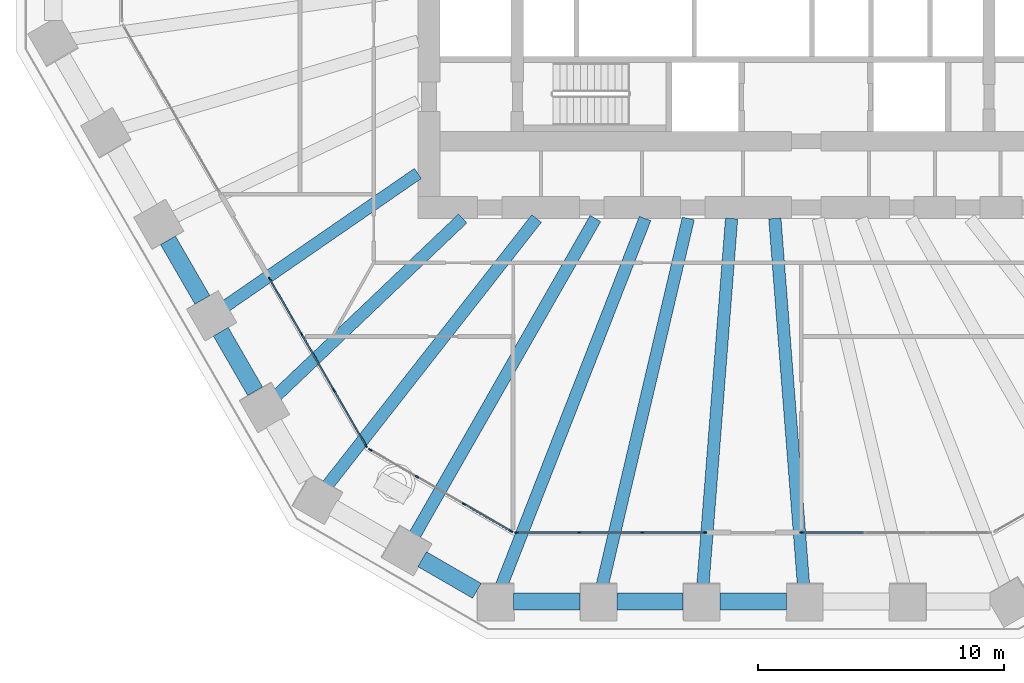
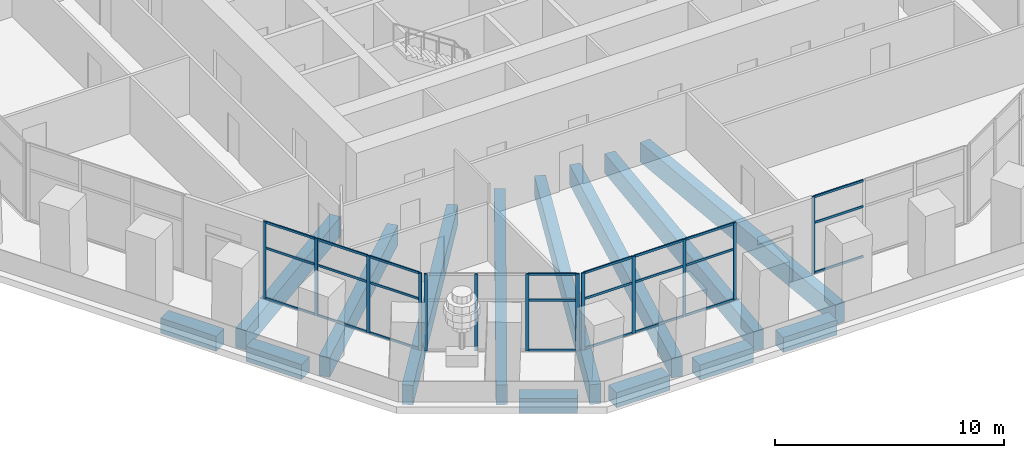
# One storey, part 2 of 18: 37 members, 14 beams, 4 elements without a shape of their own.
"""IFC4 building model written with IfcOpenShell, lengths in metres."""

from ifc_helpers import new_model, si_unit, direction, frame, origin, origin_2d, place, context, subcontext, project, spatial, rectangle, extrude, material, material_profile, profile_set, type_object, element, aggregate, save


model = new_model("IFC4")

# Units and contexts
model_context = context("Model", 3, precision=1e-05, world=origin(), true_north=direction((0.0, 1.0)))
body_context = subcontext(model_context, "Body", "Model", "MODEL_VIEW")
ifc_project = project(units=[si_unit("LENGTHUNIT", "METRE"), si_unit("AREAUNIT", "SQUARE_METRE"), si_unit("VOLUMEUNIT", "CUBIC_METRE"), si_unit("PLANEANGLEUNIT", "RADIAN"), si_unit("MASSUNIT", "GRAM", prefix="KILO")], contexts=[model_context])

# Site, building, storey
site_placement = place(None, origin())
site = spatial("IfcSite", under=ifc_project, at=site_placement, CompositionType="ELEMENT")
building_placement = place(site_placement, origin())
building = spatial("IfcBuilding", under=site, at=building_placement, Name="Frailejon Research Tower", CompositionType="ELEMENT")
storey_placement = place(building_placement, frame((0.0, 0.0, 19.0)))
storey = spatial("IfcBuildingStorey", under=building, at=storey_placement, Name="L04", CompositionType="ELEMENT", Elevation=19.0)

# Curtain wall, members
ifc_material_1 = material(Name="Aluminium curtain wall", Category="aluminium")
curtain_wall_type = type_object("IfcCurtainWallType", Name="Base zone unitised curtain wall system", PredefinedType="NOTDEFINED", material=ifc_material_1)
curtain_wall_1_placement = place(storey_placement, origin())
curtain_wall_1 = element("IfcCurtainWall", 1, at=curtain_wall_1_placement, inside=storey, type_object=curtain_wall_type, Name="Curtain wall L04", PredefinedType="NOTDEFINED")
ifc_material_2 = material(Name="Aluminium extrusion", Category="aluminium")
ifc_material_profile_1 = material_profile(ifc_material_2, rectangle(XDim=0.06005859375, YDim=0.159912109375, at=origin_2d()), Name="Base zone unitised curtain wall mullion 60x160")
ifc_profile_set_1 = profile_set([ifc_material_profile_1], Name="Aluminium extrusion")
member_type_1 = type_object("IfcMemberType", Name="Base zone unitised curtain wall mullion 60x160", PredefinedType="MULLION", material=ifc_profile_set_1)
member_1_placement = place(storey_placement, frame((-19.68408203125, -13.706298828125, 0.0), z_axis=(0.0, 0.0, 1.0), x_axis=(0.866026896805, 0.499997414004, 0.0)))
member_1 = element("IfcMember", 2, at=member_1_placement, type_object=member_type_1, Name="CW3-074 mullion 1", PredefinedType="MULLION", context=body_context, shape_type="SweptSolid", body=[
    extrude(rectangle(XDim=0.06005859375, YDim=0.159912109375, at=origin_2d()), origin(), (0.0, 0.0, 1.0), 4.10009765625),
])
member_2_placement = place(storey_placement, frame((-18.3837890625, -15.958251953125, 0.0), z_axis=(0.0, 0.0, 1.0), x_axis=(0.866026896805, 0.499997414004, 0.0)))
member_2 = element("IfcMember", 3, at=member_2_placement, type_object=member_type_1, Name="CW3-074 mullion 2", PredefinedType="MULLION", context=body_context, shape_type="SweptSolid", body=[
    extrude(rectangle(XDim=0.06005859375, YDim=0.159912109375, at=origin_2d()), origin(), (0.0, 0.0, 1.0), 4.10009765625),
])
member_3_placement = place(storey_placement, frame((-17.068603515625, -18.236328125, 0.0), z_axis=(0.0, 0.0, 1.0), x_axis=(0.866026896805, 0.499997414004, 0.0)))
member_3 = element("IfcMember", 4, at=member_3_placement, type_object=member_type_1, Name="CW3-074 mullion 3", PredefinedType="MULLION", context=body_context, shape_type="SweptSolid", body=[
    extrude(rectangle(XDim=0.06005859375, YDim=0.159912109375, at=origin_2d()), origin(), (0.0, 0.0, 1.0), 4.10009765625),
])
member_4_placement = place(storey_placement, frame((-15.768310546875, -20.488525390625, 0.0), z_axis=(0.0, 0.0, 1.0), x_axis=(0.866026896805, 0.499997414004, 0.0)))
member_4 = element("IfcMember", 5, at=member_4_placement, type_object=member_type_1, Name="CW3-074 mullion 4", PredefinedType="MULLION", context=body_context, shape_type="SweptSolid", body=[
    extrude(rectangle(XDim=0.06005859375, YDim=0.159912109375, at=origin_2d()), origin(), (0.0, 0.0, 1.0), 4.10009765625),
])

curtain_wall_2_placement = place(storey_placement, origin())
curtain_wall_2 = element("IfcCurtainWall", 6, at=curtain_wall_2_placement, inside=storey, type_object=curtain_wall_type, Name="Curtain wall L04", PredefinedType="NOTDEFINED")
member_5_placement = place(storey_placement, frame((-15.5908203125, -20.666015625, 0.0), z_axis=(0.0, 0.0, 1.0), x_axis=(0.499998258782, 0.866026409075, 0.0)))
member_5 = element("IfcMember", 7, at=member_5_placement, type_object=member_type_1, Name="CW3-075 mullion 1", PredefinedType="MULLION", context=body_context, shape_type="SweptSolid", body=[
    extrude(rectangle(XDim=0.06005859375, YDim=0.159912109375, at=origin_2d()), origin(), (0.0, 0.0, 1.0), 4.10009765625),
])
member_6_placement = place(storey_placement, frame((-13.68994140625, -21.763427734375, 0.0), z_axis=(0.0, 0.0, 1.0), x_axis=(0.499998258782, 0.866026409075, 0.0)))
member_6 = element("IfcMember", 8, at=member_6_placement, type_object=member_type_1, Name="CW3-075 mullion 2", PredefinedType="MULLION", context=body_context, shape_type="SweptSolid", body=[
    extrude(rectangle(XDim=0.06005859375, YDim=0.159912109375, at=origin_2d()), origin(), (0.0, 0.0, 1.0), 4.10009765625),
])
member_7_placement = place(storey_placement, frame((-11.76318359375, -22.8759765625, 0.0), z_axis=(0.0, 0.0, 1.0), x_axis=(0.499998258782, 0.866026409075, 0.0)))
member_7 = element("IfcMember", 9, at=member_7_placement, type_object=member_type_1, Name="CW3-075 mullion 3", PredefinedType="MULLION", context=body_context, shape_type="SweptSolid", body=[
    extrude(rectangle(XDim=0.06005859375, YDim=0.159912109375, at=origin_2d()), origin(), (0.0, 0.0, 1.0), 4.10009765625),
])
member_8_placement = place(storey_placement, frame((-9.8623046875, -23.973388671875, 0.0), z_axis=(0.0, 0.0, 1.0), x_axis=(0.499998258782, 0.866026409075, 0.0)))
member_8 = element("IfcMember", 10, at=member_8_placement, type_object=member_type_1, Name="CW3-075 mullion 4", PredefinedType="MULLION", context=body_context, shape_type="SweptSolid", body=[
    extrude(rectangle(XDim=0.06005859375, YDim=0.159912109375, at=origin_2d()), origin(), (0.0, 0.0, 1.0), 4.10009765625),
])

curtain_wall_3_placement = place(storey_placement, origin())
curtain_wall_3 = element("IfcCurtainWall", 11, at=curtain_wall_3_placement, inside=storey, type_object=curtain_wall_type, Name="Curtain wall L04", PredefinedType="NOTDEFINED")
member_9_placement = place(storey_placement, frame((-9.619873046875, -24.038330078125, 0.0), z_axis=(0.0, 0.0, 1.0), x_axis=(0.0, 1.0, 0.0)))
member_9 = element("IfcMember", 12, at=member_9_placement, type_object=member_type_1, Name="CW3-076 mullion 1", PredefinedType="MULLION", context=body_context, shape_type="SweptSolid", body=[
    extrude(rectangle(XDim=0.06005859375, YDim=0.159912109375, at=origin_2d()), origin(), (0.0, 0.0, 1.0), 4.10009765625),
])
member_10_placement = place(storey_placement, frame((-7.083251953125, -24.038330078125, 0.0), z_axis=(0.0, 0.0, 1.0), x_axis=(0.0, 1.0, 0.0)))
member_10 = element("IfcMember", 13, at=member_10_placement, type_object=member_type_1, Name="CW3-076 mullion 2", PredefinedType="MULLION", context=body_context, shape_type="SweptSolid", body=[
    extrude(rectangle(XDim=0.06005859375, YDim=0.159912109375, at=origin_2d()), origin(), (0.0, 0.0, 1.0), 4.10009765625),
])
member_11_placement = place(storey_placement, frame((-4.5166015625, -24.038330078125, 0.0), z_axis=(0.0, 0.0, 1.0), x_axis=(0.0, 1.0, 0.0)))
member_11 = element("IfcMember", 14, at=member_11_placement, type_object=member_type_1, Name="CW3-076 mullion 3", PredefinedType="MULLION", context=body_context, shape_type="SweptSolid", body=[
    extrude(rectangle(XDim=0.06005859375, YDim=0.159912109375, at=origin_2d()), origin(), (0.0, 0.0, 1.0), 4.10009765625),
])
member_12_placement = place(storey_placement, frame((-1.97998046875, -24.038330078125, 0.0), z_axis=(0.0, 0.0, 1.0), x_axis=(0.0, 1.0, 0.0)))
member_12 = element("IfcMember", 15, at=member_12_placement, type_object=member_type_1, Name="CW3-076 mullion 4", PredefinedType="MULLION", context=body_context, shape_type="SweptSolid", body=[
    extrude(rectangle(XDim=0.06005859375, YDim=0.159912109375, at=origin_2d()), origin(), (0.0, 0.0, 1.0), 4.10009765625),
])

# Curtain wall, member
curtain_wall_4_placement = place(storey_placement, origin())
curtain_wall_4 = element("IfcCurtainWall", 16, at=curtain_wall_4_placement, inside=storey, type_object=curtain_wall_type, Name="Curtain wall L04", PredefinedType="NOTDEFINED")
member_13_placement = place(storey_placement, frame((1.97998046875, -24.038330078125, 0.0), z_axis=(0.0, 0.0, 1.0), x_axis=(0.0, 1.0, 0.0)))
member_13 = element("IfcMember", 17, at=member_13_placement, type_object=member_type_1, Name="CW3-077 mullion 1", PredefinedType="MULLION", context=body_context, shape_type="SweptSolid", body=[
    extrude(rectangle(XDim=0.06005859375, YDim=0.159912109375, at=origin_2d()), origin(), (0.0, 0.0, 1.0), 4.10009765625),
])

# Member
ifc_material_3 = material(Name="Aluminium extrusion", Category="aluminium")
ifc_material_profile_2 = material_profile(ifc_material_3, rectangle(XDim=0.06005859375, YDim=0.1201171875, at=origin_2d()), Name="Base zone unitised curtain wall transom 60x120")
ifc_profile_set_2 = profile_set([ifc_material_profile_2], Name="Aluminium extrusion")
member_type_2 = type_object("IfcMemberType", Name="Base zone unitised curtain wall transom 60x120", PredefinedType="USERDEFINED", material=ifc_profile_set_2)
member_14_placement = place(storey_placement, frame((-19.669189453125, -13.732177734375, 0.030029296875), z_axis=(0.499994189038, -0.866028758719, 0.0), x_axis=(0.866028758719, 0.499994189038, 0.0)))
member_14 = element("IfcMember", 18, at=member_14_placement, type_object=member_type_2, Name="CW3-074 transom 1.1", ObjectType="TRANSOM", PredefinedType="USERDEFINED", context=body_context, shape_type="SweptSolid", body=[
    extrude(rectangle(XDim=0.06005859375, YDim=0.1201171875, at=origin_2d()), origin(), (0.0, 0.0, 1.0), 2.54052734375),
])

member_15_placement = place(storey_placement, frame((-19.669189453125, -13.732177734375, 2.699951171875), z_axis=(0.499994189038, -0.866028758719, 0.0), x_axis=(0.866028758719, 0.499994189038, 0.0)))
member_15 = element("IfcMember", 19, at=member_15_placement, type_object=member_type_2, Name="CW3-074 transom 1.2", ObjectType="TRANSOM", PredefinedType="USERDEFINED", context=body_context, shape_type="SweptSolid", body=[
    extrude(rectangle(XDim=0.06005859375, YDim=0.1201171875, at=origin_2d()), origin(), (0.0, 0.0, 1.0), 2.54052734375),
])

member_16_placement = place(storey_placement, frame((-19.669189453125, -13.732177734375, 4.070068359375), z_axis=(0.499994189038, -0.866028758719, 0.0), x_axis=(0.866028758719, 0.499994189038, 0.0)))
member_16 = element("IfcMember", 20, at=member_16_placement, type_object=member_type_2, Name="CW3-074 transom 1.3", ObjectType="TRANSOM", PredefinedType="USERDEFINED", context=body_context, shape_type="SweptSolid", body=[
    extrude(rectangle(XDim=0.06005859375, YDim=0.1201171875, at=origin_2d()), origin(), (0.0, 0.0, 1.0), 2.54052734375),
])

member_17_placement = place(storey_placement, frame((-18.368896484375, -15.984130859375, 0.030029296875), z_axis=(0.49993894727, -0.866060649725, 0.0), x_axis=(0.866060649725, 0.49993894727, 0.0)))
member_17 = element("IfcMember", 21, at=member_17_placement, type_object=member_type_2, Name="CW3-074 transom 2.1", ObjectType="TRANSOM", PredefinedType="USERDEFINED", context=body_context, shape_type="SweptSolid", body=[
    extrude(rectangle(XDim=0.06005859375, YDim=0.1201171875, at=origin_2d()), origin(), (0.0, 0.0, 1.0), 2.570556640625),
])

member_18_placement = place(storey_placement, frame((-18.368896484375, -15.984130859375, 2.699951171875), z_axis=(0.49993894727, -0.866060649725, 0.0), x_axis=(0.866060649725, 0.49993894727, 0.0)))
member_18 = element("IfcMember", 22, at=member_18_placement, type_object=member_type_2, Name="CW3-074 transom 2.2", ObjectType="TRANSOM", PredefinedType="USERDEFINED", context=body_context, shape_type="SweptSolid", body=[
    extrude(rectangle(XDim=0.06005859375, YDim=0.1201171875, at=origin_2d()), origin(), (0.0, 0.0, 1.0), 2.570556640625),
])

member_19_placement = place(storey_placement, frame((-18.368896484375, -15.984130859375, 4.070068359375), z_axis=(0.49993894727, -0.866060649725, 0.0), x_axis=(0.866060649725, 0.49993894727, 0.0)))
member_19 = element("IfcMember", 23, at=member_19_placement, type_object=member_type_2, Name="CW3-074 transom 2.3", ObjectType="TRANSOM", PredefinedType="USERDEFINED", context=body_context, shape_type="SweptSolid", body=[
    extrude(rectangle(XDim=0.06005859375, YDim=0.1201171875, at=origin_2d()), origin(), (0.0, 0.0, 1.0), 2.570556640625),
])

member_20_placement = place(storey_placement, frame((-17.0537109375, -18.26220703125, 0.030029296875), z_axis=(0.499994189038, -0.866028758719, 0.0), x_axis=(0.866028758719, 0.499994189038, 0.0)))
member_20 = element("IfcMember", 24, at=member_20_placement, type_object=member_type_2, Name="CW3-074 transom 3.1", ObjectType="TRANSOM", PredefinedType="USERDEFINED", context=body_context, shape_type="SweptSolid", body=[
    extrude(rectangle(XDim=0.06005859375, YDim=0.1201171875, at=origin_2d()), origin(), (0.0, 0.0, 1.0), 2.54052734375),
])

member_21_placement = place(storey_placement, frame((-17.0537109375, -18.26220703125, 2.699951171875), z_axis=(0.499994189038, -0.866028758719, 0.0), x_axis=(0.866028758719, 0.499994189038, 0.0)))
member_21 = element("IfcMember", 25, at=member_21_placement, type_object=member_type_2, Name="CW3-074 transom 3.2", ObjectType="TRANSOM", PredefinedType="USERDEFINED", context=body_context, shape_type="SweptSolid", body=[
    extrude(rectangle(XDim=0.06005859375, YDim=0.1201171875, at=origin_2d()), origin(), (0.0, 0.0, 1.0), 2.54052734375),
])

member_22_placement = place(storey_placement, frame((-17.0537109375, -18.26220703125, 4.070068359375), z_axis=(0.499994189038, -0.866028758719, 0.0), x_axis=(0.866028758719, 0.499994189038, 0.0)))
member_22 = element("IfcMember", 26, at=member_22_placement, type_object=member_type_2, Name="CW3-074 transom 3.3", ObjectType="TRANSOM", PredefinedType="USERDEFINED", context=body_context, shape_type="SweptSolid", body=[
    extrude(rectangle(XDim=0.06005859375, YDim=0.1201171875, at=origin_2d()), origin(), (0.0, 0.0, 1.0), 2.54052734375),
])

aggregate(curtain_wall_1, [member_1, member_2, member_3, member_4, member_14, member_15, member_16, member_17, member_18, member_19, member_20, member_21, member_22])

member_23_placement = place(storey_placement, frame((-11.7373046875, -22.890869140625, 0.030029296875), z_axis=(0.866038951244, -0.499976534377, 0.0), x_axis=(0.499976534377, 0.866038951244, 0.0)))
member_23 = element("IfcMember", 27, at=member_23_placement, type_object=member_type_2, Name="CW3-075 transom 3.1", ObjectType="TRANSOM", PredefinedType="USERDEFINED", context=body_context, shape_type="SweptSolid", body=[
    extrude(rectangle(XDim=0.06005859375, YDim=0.1201171875, at=origin_2d()), origin(), (0.0, 0.0, 1.0), 2.134765625),
])

member_24_placement = place(storey_placement, frame((-11.7373046875, -22.890869140625, 2.699951171875), z_axis=(0.866038951244, -0.499976534377, 0.0), x_axis=(0.499976534377, 0.866038951244, 0.0)))
member_24 = element("IfcMember", 28, at=member_24_placement, type_object=member_type_2, Name="CW3-075 transom 3.2", ObjectType="TRANSOM", PredefinedType="USERDEFINED", context=body_context, shape_type="SweptSolid", body=[
    extrude(rectangle(XDim=0.06005859375, YDim=0.1201171875, at=origin_2d()), origin(), (0.0, 0.0, 1.0), 2.134765625),
])

member_25_placement = place(storey_placement, frame((-11.7373046875, -22.890869140625, 4.070068359375), z_axis=(0.866038951244, -0.499976534377, 0.0), x_axis=(0.499976534377, 0.866038951244, 0.0)))
member_25 = element("IfcMember", 29, at=member_25_placement, type_object=member_type_2, Name="CW3-075 transom 3.3", ObjectType="TRANSOM", PredefinedType="USERDEFINED", context=body_context, shape_type="SweptSolid", body=[
    extrude(rectangle(XDim=0.06005859375, YDim=0.1201171875, at=origin_2d()), origin(), (0.0, 0.0, 1.0), 2.134765625),
])

aggregate(curtain_wall_2, [member_5, member_6, member_7, member_8, member_23, member_24, member_25])

member_26_placement = place(storey_placement, frame((-9.58984375, -24.038330078125, 0.030029296875), z_axis=(1.0, 0.0, 0.0), x_axis=(0.0, 1.0, 0.0)))
member_26 = element("IfcMember", 30, at=member_26_placement, type_object=member_type_2, Name="CW3-076 transom 1.1", ObjectType="TRANSOM", PredefinedType="USERDEFINED", context=body_context, shape_type="SweptSolid", body=[
    extrude(rectangle(XDim=0.06005859375, YDim=0.1201171875, at=origin_2d()), origin(), (0.0, 0.0, 1.0), 2.4765625),
])

member_27_placement = place(storey_placement, frame((-9.58984375, -24.038330078125, 2.699951171875), z_axis=(1.0, 0.0, 0.0), x_axis=(0.0, 1.0, 0.0)))
member_27 = element("IfcMember", 31, at=member_27_placement, type_object=member_type_2, Name="CW3-076 transom 1.2", ObjectType="TRANSOM", PredefinedType="USERDEFINED", context=body_context, shape_type="SweptSolid", body=[
    extrude(rectangle(XDim=0.06005859375, YDim=0.1201171875, at=origin_2d()), origin(), (0.0, 0.0, 1.0), 2.4765625),
])

member_28_placement = place(storey_placement, frame((-9.58984375, -24.038330078125, 4.070068359375), z_axis=(1.0, 0.0, 0.0), x_axis=(0.0, 1.0, 0.0)))
member_28 = element("IfcMember", 32, at=member_28_placement, type_object=member_type_2, Name="CW3-076 transom 1.3", ObjectType="TRANSOM", PredefinedType="USERDEFINED", context=body_context, shape_type="SweptSolid", body=[
    extrude(rectangle(XDim=0.06005859375, YDim=0.1201171875, at=origin_2d()), origin(), (0.0, 0.0, 1.0), 2.4765625),
])

member_29_placement = place(storey_placement, frame((-7.05322265625, -24.038330078125, 0.030029296875), z_axis=(1.0, 0.0, 0.0), x_axis=(0.0, 1.0, 0.0)))
member_29 = element("IfcMember", 33, at=member_29_placement, type_object=member_type_2, Name="CW3-076 transom 2.1", ObjectType="TRANSOM", PredefinedType="USERDEFINED", context=body_context, shape_type="SweptSolid", body=[
    extrude(rectangle(XDim=0.06005859375, YDim=0.1201171875, at=origin_2d()), origin(), (0.0, 0.0, 1.0), 2.506591796875),
])

member_30_placement = place(storey_placement, frame((-7.05322265625, -24.038330078125, 2.699951171875), z_axis=(1.0, 0.0, 0.0), x_axis=(0.0, 1.0, 0.0)))
member_30 = element("IfcMember", 34, at=member_30_placement, type_object=member_type_2, Name="CW3-076 transom 2.2", ObjectType="TRANSOM", PredefinedType="USERDEFINED", context=body_context, shape_type="SweptSolid", body=[
    extrude(rectangle(XDim=0.06005859375, YDim=0.1201171875, at=origin_2d()), origin(), (0.0, 0.0, 1.0), 2.506591796875),
])

member_31_placement = place(storey_placement, frame((-7.05322265625, -24.038330078125, 4.070068359375), z_axis=(1.0, 0.0, 0.0), x_axis=(0.0, 1.0, 0.0)))
member_31 = element("IfcMember", 35, at=member_31_placement, type_object=member_type_2, Name="CW3-076 transom 2.3", ObjectType="TRANSOM", PredefinedType="USERDEFINED", context=body_context, shape_type="SweptSolid", body=[
    extrude(rectangle(XDim=0.06005859375, YDim=0.1201171875, at=origin_2d()), origin(), (0.0, 0.0, 1.0), 2.506591796875),
])

member_32_placement = place(storey_placement, frame((-4.486572265625, -24.038330078125, 0.030029296875), z_axis=(1.0, 0.0, 0.0), x_axis=(0.0, 1.0, 0.0)))
member_32 = element("IfcMember", 36, at=member_32_placement, type_object=member_type_2, Name="CW3-076 transom 3.1", ObjectType="TRANSOM", PredefinedType="USERDEFINED", context=body_context, shape_type="SweptSolid", body=[
    extrude(rectangle(XDim=0.06005859375, YDim=0.1201171875, at=origin_2d()), origin(), (0.0, 0.0, 1.0), 2.4765625),
])

member_33_placement = place(storey_placement, frame((-4.486572265625, -24.038330078125, 2.699951171875), z_axis=(1.0, 0.0, 0.0), x_axis=(0.0, 1.0, 0.0)))
member_33 = element("IfcMember", 37, at=member_33_placement, type_object=member_type_2, Name="CW3-076 transom 3.2", ObjectType="TRANSOM", PredefinedType="USERDEFINED", context=body_context, shape_type="SweptSolid", body=[
    extrude(rectangle(XDim=0.06005859375, YDim=0.1201171875, at=origin_2d()), origin(), (0.0, 0.0, 1.0), 2.4765625),
])

member_34_placement = place(storey_placement, frame((-4.486572265625, -24.038330078125, 4.070068359375), z_axis=(1.0, 0.0, 0.0), x_axis=(0.0, 1.0, 0.0)))
member_34 = element("IfcMember", 38, at=member_34_placement, type_object=member_type_2, Name="CW3-076 transom 3.3", ObjectType="TRANSOM", PredefinedType="USERDEFINED", context=body_context, shape_type="SweptSolid", body=[
    extrude(rectangle(XDim=0.06005859375, YDim=0.1201171875, at=origin_2d()), origin(), (0.0, 0.0, 1.0), 2.4765625),
])

aggregate(curtain_wall_3, [member_9, member_10, member_11, member_12, member_26, member_27, member_28, member_29, member_30, member_31, member_32, member_33, member_34])

member_35_placement = place(storey_placement, frame((2.010009765625, -24.038330078125, 0.030029296875), z_axis=(1.0, 0.0, 0.0), x_axis=(0.0, 1.0, 0.0)))
member_35 = element("IfcMember", 39, at=member_35_placement, type_object=member_type_2, Name="CW3-077 transom 1.1", ObjectType="TRANSOM", PredefinedType="USERDEFINED", context=body_context, shape_type="SweptSolid", body=[
    extrude(rectangle(XDim=0.06005859375, YDim=0.1201171875, at=origin_2d()), origin(), (0.0, 0.0, 1.0), 2.4765625),
])

member_36_placement = place(storey_placement, frame((2.010009765625, -24.038330078125, 2.699951171875), z_axis=(1.0, 0.0, 0.0), x_axis=(0.0, 1.0, 0.0)))
member_36 = element("IfcMember", 40, at=member_36_placement, type_object=member_type_2, Name="CW3-077 transom 1.2", ObjectType="TRANSOM", PredefinedType="USERDEFINED", context=body_context, shape_type="SweptSolid", body=[
    extrude(rectangle(XDim=0.06005859375, YDim=0.1201171875, at=origin_2d()), origin(), (0.0, 0.0, 1.0), 2.4765625),
])

member_37_placement = place(storey_placement, frame((2.010009765625, -24.038330078125, 4.070068359375), z_axis=(1.0, 0.0, 0.0), x_axis=(0.0, 1.0, 0.0)))
member_37 = element("IfcMember", 41, at=member_37_placement, type_object=member_type_2, Name="CW3-077 transom 1.3", ObjectType="TRANSOM", PredefinedType="USERDEFINED", context=body_context, shape_type="SweptSolid", body=[
    extrude(rectangle(XDim=0.06005859375, YDim=0.1201171875, at=origin_2d()), origin(), (0.0, 0.0, 1.0), 2.4765625),
])

aggregate(curtain_wall_4, [member_13, member_35, member_36, member_37])

# Beams
ifc_material_4 = material(Name="Concrete C60/75", Category="concrete")
ifc_material_profile_3 = material_profile(ifc_material_4, rectangle(XDim=0.5, YDim=1.050048828125, at=origin_2d()), Name="Girder 500x1050")
ifc_profile_set_3 = profile_set([ifc_material_profile_3], Name="Concrete C60/75")
beam_type_1 = type_object("IfcBeamType", Name="Girder 500x1050", PredefinedType="BEAM", material=ifc_profile_set_3)
beam_1_placement = place(storey_placement, frame((-21.552978515625, -14.867919921875, -0.824951171875), z_axis=(0.8231513097, 0.567822085991, 0.0), x_axis=(-0.567822085991, 0.8231513097, 0.0)))
element("IfcBeam", 42, at=beam_1_placement, inside=storey, type_object=beam_type_1, Name="Girder 500x1050", PredefinedType="BEAM", context=body_context, shape_type="SweptSolid", body=[
    extrude(rectangle(XDim=0.5, YDim=1.050048828125, at=origin_2d()), origin(), (0.0, 0.0, 1.0), 9.60107421875),
])
beam_2_placement = place(storey_placement, frame((-19.45068359375, -18.501953125, -0.824951171875), z_axis=(0.724554952995, 0.689217034098, 0.0), x_axis=(-0.689217034098, 0.724554952995, 0.0)))
element("IfcBeam", 43, at=beam_2_placement, inside=storey, type_object=beam_type_1, Name="Girder 500x1050", PredefinedType="BEAM", context=body_context, shape_type="SweptSolid", body=[
    extrude(rectangle(XDim=0.5, YDim=1.050048828125, at=origin_2d()), origin(), (0.0, 0.0, 1.0), 10.52197265625),
])
beam_3_placement = place(storey_placement, frame((-17.37841796875, -22.172607421875, -0.824951171875), z_axis=(0.616884903035, 0.787053375831, 0.0), x_axis=(-0.787053375831, 0.616884903035, 0.0)))
element("IfcBeam", 44, at=beam_3_placement, inside=storey, type_object=beam_type_1, Name="Girder 500x1050", PredefinedType="BEAM", context=body_context, shape_type="SweptSolid", body=[
    extrude(rectangle(XDim=0.5, YDim=1.050048828125, at=origin_2d()), origin(), (0.0, 0.0, 1.0), 13.8779296875),
])
beam_4_placement = place(storey_placement, frame((-13.8291015625, -24.223388671875, -0.824951171875), z_axis=(0.495792179551, 0.86844119818, 0.0), x_axis=(-0.86844119818, 0.495792179551, 0.0)))
element("IfcBeam", 45, at=beam_4_placement, inside=storey, type_object=beam_type_1, Name="Girder 500x1050", PredefinedType="BEAM", context=body_context, shape_type="SweptSolid", body=[
    extrude(rectangle(XDim=0.5, YDim=1.050048828125, at=origin_2d()), origin(), (0.0, 0.0, 1.0), 14.938720703125),
])
beam_5_placement = place(storey_placement, frame((-10.26123046875, -26.22802734375, -0.824951171875), z_axis=(0.364339824049, 0.93126606972, 0.0), x_axis=(-0.93126606972, 0.364339824049, 0.0)))
element("IfcBeam", 46, at=beam_5_placement, inside=storey, type_object=beam_type_1, Name="Girder 500x1050", PredefinedType="BEAM", context=body_context, shape_type="SweptSolid", body=[
    extrude(rectangle(XDim=0.5, YDim=1.050048828125, at=origin_2d()), origin(), (0.0, 0.0, 1.0), 16.08349609375),
])
beam_6_placement = place(storey_placement, frame((-6.158203125, -26.234375, -0.824951171875), z_axis=(0.228522100107, 0.973538725353, 0.0), x_axis=(-0.973538725353, 0.228522100107, 0.0)))
element("IfcBeam", 47, at=beam_6_placement, inside=storey, type_object=beam_type_1, Name="Girder 500x1050", PredefinedType="BEAM", context=body_context, shape_type="SweptSolid", body=[
    extrude(rectangle(XDim=0.5, YDim=1.050048828125, at=origin_2d()), origin(), (0.0, 0.0, 1.0), 15.3916015625),
])
for number, where, z_axis, x_axis, name in (
    (48, (-2.052978515625, -26.23779296875, -0.824951171875), (0.077999141648, 0.996953426145, 0.0), (-0.996953426145, 0.077999141648, 0.0), "Girder 500x1050"),
    (49, (2.052978515625, -26.23779296875, -0.824951171875), (-0.077999141648, 0.996953426145, 0.0), (-0.996953426145, -0.077999141648, 0.0), "Girder 500x1050"),
):
    element("IfcBeam", number, at=place(storey_placement, frame(where, z_axis=z_axis, x_axis=x_axis)), inside=storey, type_object=beam_type_1, Name=name, PredefinedType="BEAM", context=body_context, shape_type="SweptSolid", body=[
        extrude(rectangle(XDim=0.5, YDim=1.050048828125, at=origin_2d()), origin(), (0.0, 0.0, 1.0), 15.03369140625),
    ])
ifc_material_5 = material(Name="Concrete C60/75", Category="concrete")
ifc_material_profile_4 = material_profile(ifc_material_5, rectangle(XDim=0.699951171875, YDim=0.800048828125, at=origin_2d()), Name="Spandrel 700x800")
ifc_profile_set_4 = profile_set([ifc_material_profile_4], Name="Concrete C60/75")
beam_type_2 = type_object("IfcBeamType", Name="Spandrel 700x800", PredefinedType="BEAM", material=ifc_profile_set_4)
beam_7_placement = place(storey_placement, frame((-23.82177734375, -12.139404296875, -0.75), z_axis=(0.500027335801, -0.866009620877, 0.0), x_axis=(0.866009620877, 0.500027335801, 0.0)))
element("IfcBeam", 50, at=beam_7_placement, inside=storey, type_object=beam_type_2, Name="Spandrel 700x800", PredefinedType="BEAM", context=body_context, shape_type="SweptSolid", body=[
    extrude(rectangle(XDim=0.699951171875, YDim=0.800048828125, at=origin_2d()), origin(), (0.0, 0.0, 1.0), 2.795654296875),
])
beam_8_placement = place(storey_placement, frame((-21.673828125, -15.859619140625, -0.75), z_axis=(0.49998952364, -0.866031452229, 0.0), x_axis=(0.866031452229, 0.49998952364, 0.0)))
element("IfcBeam", 51, at=beam_8_placement, inside=storey, type_object=beam_type_2, Name="Spandrel 700x800", PredefinedType="BEAM", context=body_context, shape_type="SweptSolid", body=[
    extrude(rectangle(XDim=0.699951171875, YDim=0.800048828125, at=origin_2d()), origin(), (0.0, 0.0, 1.0), 2.7958984375),
])
beam_9_placement = place(storey_placement, frame((-13.47705078125, -25.119384765625, -0.75), z_axis=(0.866008514048, -0.50002925274, 0.0), x_axis=(0.50002925274, 0.866008514048, 0.0)))
element("IfcBeam", 52, at=beam_9_placement, inside=storey, type_object=beam_type_2, Name="Spandrel 700x800", PredefinedType="BEAM", context=body_context, shape_type="SweptSolid", body=[
    extrude(rectangle(XDim=0.699951171875, YDim=0.800048828125, at=origin_2d()), origin(), (0.0, 0.0, 1.0), 2.571533203125),
])
for number, where, z_axis, x_axis, name in (
    (53, (-9.75, -26.83837890625, -0.75), (1.0, 0.0, 0.0), (0.0, 1.0, 0.0), "Spandrel 700x800"),
    (54, (-5.550048828125, -26.83837890625, -0.75), (1.0, 0.0, 0.0), (0.0, 1.0, 0.0), "Spandrel 700x800"),
):
    element("IfcBeam", number, at=place(storey_placement, frame(where, z_axis=z_axis, x_axis=x_axis)), inside=storey, type_object=beam_type_2, Name=name, PredefinedType="BEAM", context=body_context, shape_type="SweptSolid", body=[
        extrude(rectangle(XDim=0.699951171875, YDim=0.800048828125, at=origin_2d()), origin(), (0.0, 0.0, 1.0), 2.699951171875),
    ])
beam_10_placement = place(storey_placement, frame((-1.35009765625, -26.83837890625, -0.75), z_axis=(1.0, 0.0, 0.0), x_axis=(0.0, 1.0, 0.0)))
element("IfcBeam", 55, at=beam_10_placement, inside=storey, type_object=beam_type_2, Name="Spandrel 700x800", PredefinedType="BEAM", context=body_context, shape_type="SweptSolid", body=[
    extrude(rectangle(XDim=0.699951171875, YDim=0.800048828125, at=origin_2d()), origin(), (0.0, 0.0, 1.0), 2.7001953125),
])

save(model, "model.ifc")
